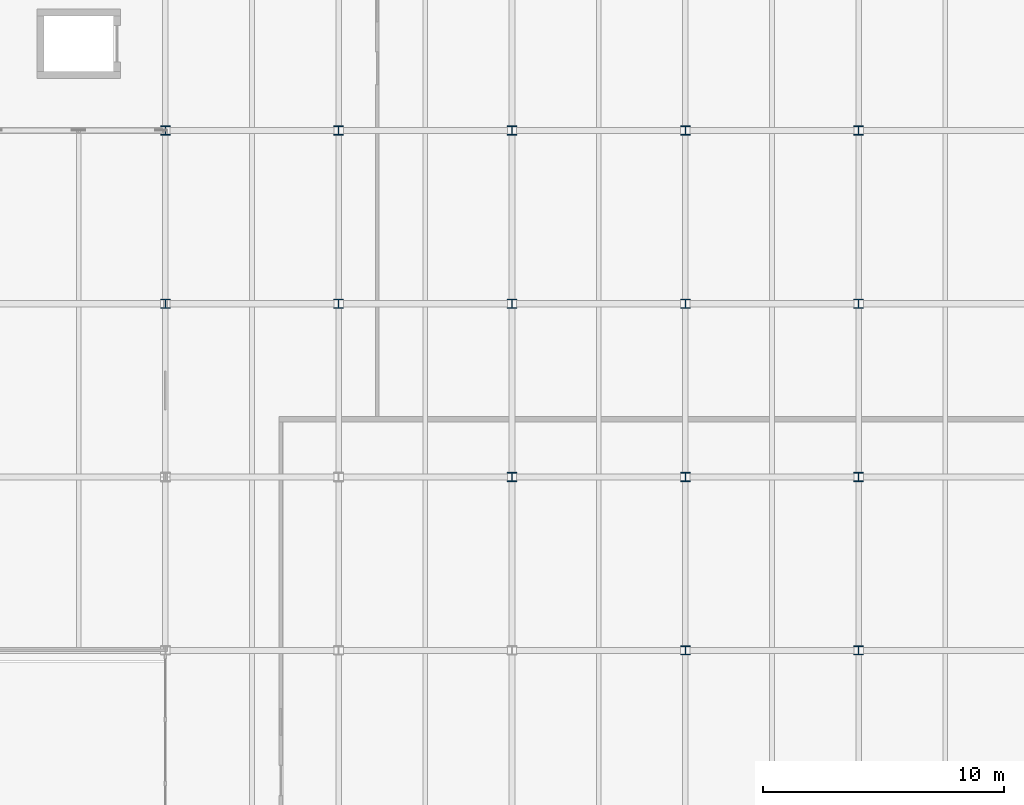
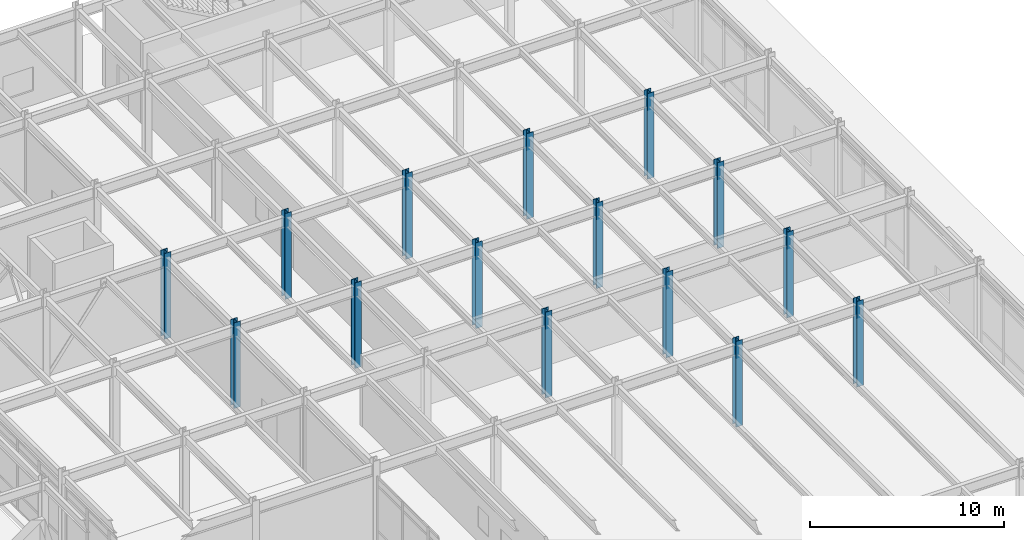
# One storey, part 16 of 104: 15 columns.
"""IFC4 building model written with IfcOpenShell, lengths in metres."""

from ifc_helpers import new_model, si_unit, direction, frame, origin, origin_2d, place, context, subcontext, project, spatial, i_section, extrude, material, material_profile, profile_set, type_object, element, save


model = new_model("IFC4")

# Units and contexts
model_context = context("Model", 3, precision=1e-05, world=origin(), true_north=direction((0.0, 1.0)))
body_context = subcontext(model_context, "Body", "Model", "MODEL_VIEW")
ifc_project = project(units=[si_unit("LENGTHUNIT", "METRE"), si_unit("AREAUNIT", "SQUARE_METRE"), si_unit("VOLUMEUNIT", "CUBIC_METRE"), si_unit("PLANEANGLEUNIT", "RADIAN"), si_unit("MASSUNIT", "GRAM", prefix="KILO")], contexts=[model_context])

# Site, building, storey
site_placement = place(None, origin())
site = spatial("IfcSite", under=ifc_project, at=site_placement, CompositionType="ELEMENT")
building_placement = place(site_placement, origin())
building = spatial("IfcBuilding", under=site, at=building_placement, Name="Vaelcorin Mobility Hub", CompositionType="ELEMENT")
storey_placement = place(building_placement, origin())
storey = spatial("IfcBuildingStorey", under=building, at=storey_placement, Name="L00", CompositionType="ELEMENT", Elevation=0.0)

# Columns
ifc_material = material(Name="Steel ASTM A992 Grade 50", Category="steel")
ifc_material_profile = material_profile(ifc_material, i_section(OverallWidth=0.39599609375, OverallDepth=0.381103515625, WebThickness=0.018798828125, FlangeThickness=0.0302734375, FilletRadius=0.014892578125, at=origin_2d()), Name="W14X159")
ifc_profile_set = profile_set([ifc_material_profile], Name="Steel ASTM A992 Grade 50")
column_type = type_object("IfcColumnType", Name="COL-W14X159", PredefinedType="COLUMN", material=ifc_profile_set)
for number, where, z_axis, x_axis, name in (
    (1, (168.0, 91.199951171875, 0.0), (0.0, 0.0, 1.0), (1.0, 0.0, 0.0), "Column V5-X03Y11 L00"),
    (2, (168.0, 98.39990234375, 0.0), (0.0, 0.0, 1.0), (1.0, 0.0, 0.0), "Column V5-X03Y12 L00"),
    (3, (175.199951171875, 91.199951171875, 0.0), (0.0, 0.0, 1.0), (1.0, 0.0, 0.0), "Column V5-X04Y11 L00"),
    (4, (175.199951171875, 98.39990234375, 0.0), (0.0, 0.0, 1.0), (1.0, 0.0, 0.0), "Column V5-X04Y12 L00"),
    (5, (182.39990234375, 84.0, 0.0), (0.0, 0.0, 1.0), (1.0, 0.0, 0.0), "Column V5-X05Y10 L00"),
    (6, (182.39990234375, 91.199951171875, 0.0), (0.0, 0.0, 1.0), (1.0, 0.0, 0.0), "Column V5-X05Y11 L00"),
    (7, (182.39990234375, 98.39990234375, 0.0), (0.0, 0.0, 1.0), (1.0, 0.0, 0.0), "Column V5-X05Y12 L00"),
    (8, (189.60009765625, 76.800048828125, 0.0), (0.0, 0.0, 1.0), (1.0, 0.0, 0.0), "Column V5-X06Y09 L00"),
    (9, (189.60009765625, 84.0, 0.0), (0.0, 0.0, 1.0), (1.0, 0.0, 0.0), "Column V5-X06Y10 L00"),
    (10, (189.60009765625, 91.199951171875, 0.0), (0.0, 0.0, 1.0), (1.0, 0.0, 0.0), "Column V5-X06Y11 L00"),
    (11, (189.60009765625, 98.39990234375, 0.0), (0.0, 0.0, 1.0), (1.0, 0.0, 0.0), "Column V5-X06Y12 L00"),
    (12, (196.800048828125, 76.800048828125, 0.0), (0.0, 0.0, 1.0), (1.0, 0.0, 0.0), "Column V5-X07Y09 L00"),
    (13, (196.800048828125, 84.0, 0.0), (0.0, 0.0, 1.0), (1.0, 0.0, 0.0), "Column V5-X07Y10 L00"),
    (14, (196.800048828125, 91.199951171875, 0.0), (0.0, 0.0, 1.0), (1.0, 0.0, 0.0), "Column V5-X07Y11 L00"),
    (15, (196.800048828125, 98.39990234375, 0.0), (0.0, 0.0, 1.0), (1.0, 0.0, 0.0), "Column V5-X07Y12 L00"),
):
    element("IfcColumn", number, at=place(storey_placement, frame(where, z_axis=z_axis, x_axis=x_axis)), inside=storey, type_object=column_type, Name=name, PredefinedType="COLUMN", context=body_context, shape_type="SweptSolid", body=[
        extrude(i_section(OverallWidth=0.39599609375, OverallDepth=0.381103515625, WebThickness=0.018798828125, FlangeThickness=0.0302734375, FilletRadius=0.014892578125, at=origin_2d()), origin(), (0.0, 0.0, 1.0), 5.39990234375),
    ])

save(model, "model.ifc")
